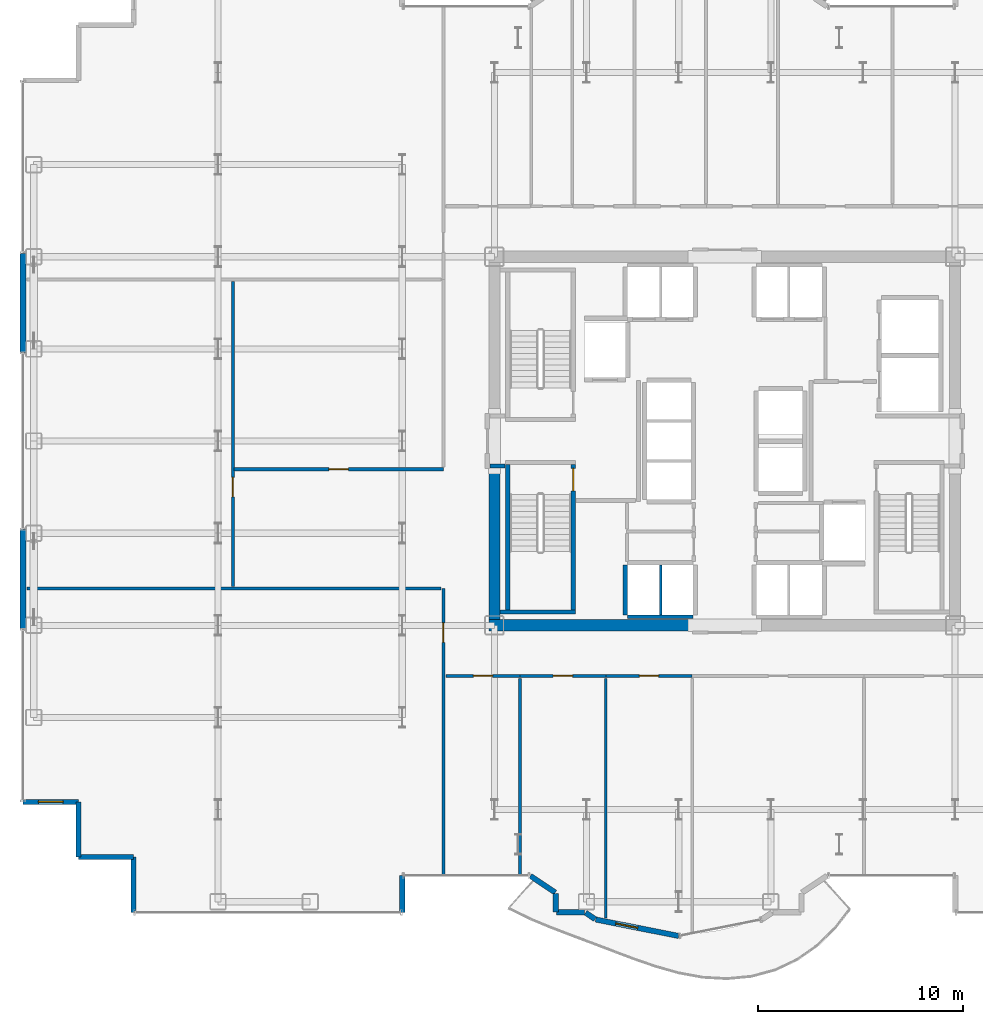
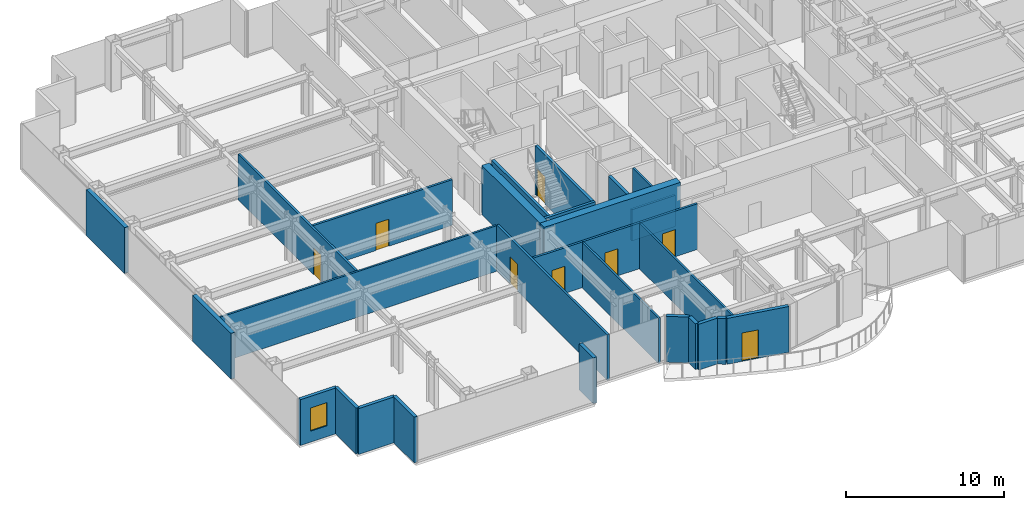
# One storey, part 22 of 29: 30 walls, 8 doors, 1 window, 9 openings.
"""IFC4 building model written with IfcOpenShell, lengths in metres."""

from ifc_helpers import new_model, si_unit, direction, frame, frame_2d, origin, place, context, subcontext, project, spatial, rectangle, extrude, source, transform, mapped, material, layer, layer_set, type_object, element, fill, save


model = new_model("IFC4")

# Units and contexts
model_context = context("Model", 3, precision=1e-05, world=origin(), true_north=direction((0.0, 1.0)))
body_context = subcontext(model_context, "Body", "Model", "MODEL_VIEW")
ifc_project = project(units=[si_unit("LENGTHUNIT", "METRE"), si_unit("AREAUNIT", "SQUARE_METRE"), si_unit("VOLUMEUNIT", "CUBIC_METRE"), si_unit("PLANEANGLEUNIT", "RADIAN"), si_unit("MASSUNIT", "GRAM", prefix="KILO")], contexts=[model_context])

# Site, building, storey
site_placement = place(None, origin())
site = spatial("IfcSite", under=ifc_project, at=site_placement, CompositionType="ELEMENT")
building_placement = place(site_placement, origin())
building = spatial("IfcBuilding", under=site, at=building_placement, Name="Nefas-Gora Pilgrimage Tower", CompositionType="ELEMENT")
storey_placement = place(building_placement, frame((0.0, 0.0, 136.39990234375)))
storey = spatial("IfcBuildingStorey", under=building, at=storey_placement, Name="L33", CompositionType="ELEMENT", Elevation=136.39990234375)

# Walls
ifc_material_1 = material(Name="Concrete C60/75", Category="concrete")
ifc_layer_1 = layer(ifc_material_1, 0.550048828125)
ifc_layer_set_1 = layer_set([ifc_layer_1], Name="Concrete C60/75")
wall_type_1 = type_object("IfcWallType", Name="SW-CORE-550", PredefinedType="SHEAR", material=ifc_layer_set_1)
shared_shape_1 = source(origin(), body_context, "Body", "SweptSolid", [
    extrude(rectangle(XDim=9.974853515625, YDim=0.550048828125, at=frame_2d((4.9873046875, 0.0))), origin(), (0.0, 0.0, 1.0), 3.800048828125),
])
wall_1_placement = place(storey_placement, frame((-11.52490234375, -9.0, 0.0), z_axis=(0.0, 0.0, 1.0), x_axis=(1.0, 0.0, 0.0)))
element("IfcWall", 1, at=wall_1_placement, inside=storey, type_object=wall_type_1, Name="L33 Core Shear Wall S-West", PredefinedType="SHEAR", context=body_context, shape_type="MappedRepresentation", body=[
    mapped(shared_shape_1, transform((0.0, 0.0, 0.0), x_axis=(1.0, 0.0, 0.0), y_axis=(0.0, 1.0, 0.0), z_axis=(0.0, 0.0, 1.0), scale=1.0)),
])
shared_shape_2 = source(origin(), body_context, "Body", "SweptSolid", [
    extrude(rectangle(XDim=7.375, YDim=0.550048828125, at=frame_2d((3.6875, 0.0))), origin(), (0.0, 0.0, 1.0), 3.800048828125),
])
wall_2_placement = place(storey_placement, frame((-11.25, -8.72509765625, 0.0), z_axis=(0.0, 0.0, 1.0), x_axis=(0.0, 1.0, 0.0)))
element("IfcWall", 2, at=wall_2_placement, inside=storey, type_object=wall_type_1, Name="L33 Core Shear Wall W-South", PredefinedType="SHEAR", context=body_context, shape_type="MappedRepresentation", body=[
    mapped(shared_shape_2, transform((0.0, 0.0, 0.0), x_axis=(1.0, 0.0, 0.0), y_axis=(0.0, 1.0, 0.0), z_axis=(0.0, 0.0, 1.0), scale=1.0)),
])
ifc_material_2 = material(Name="Precast concrete C45/55", Category="concrete")
ifc_layer_2 = layer(ifc_material_2, 0.239990234375)
ifc_layer_set_2 = layer_set([ifc_layer_2], Name="Precast concrete C45/55")
wall_type_2 = type_object("IfcWallType", Name="EW-SERR-240", PredefinedType="SHEAR", material=ifc_layer_set_2)
shared_shape_3 = source(origin(), body_context, "Body", "SweptSolid", [
    extrude(rectangle(XDim=4.8798828125, YDim=0.300048828125, at=frame_2d((2.43994140625, 0.0))), origin(), (0.0, 0.0, 1.0), 3.550048828125),
])
for number, where, z_axis, x_axis, name in (
    (3, (-34.27001953125, -9.18994140625, 0.0), (0.0, 0.0, 1.0), (0.0, 1.0, 0.0), "L33 Braced-Tube Precast Shear Cladding 1"),
    (4, (-34.27001953125, 4.31005859375, 0.0), (0.0, 0.0, 1.0), (0.0, 1.0, 0.0), "L33 Braced-Tube Precast Shear Cladding 2"),
):
    element("IfcWall", number, at=place(storey_placement, frame(where, z_axis=z_axis, x_axis=x_axis)), inside=storey, type_object=wall_type_2, Name=name, PredefinedType="SHEAR", context=body_context, shape_type="MappedRepresentation", body=[
        mapped(shared_shape_3, transform((0.0, 0.0, 0.0), x_axis=(1.0, 0.0, 0.0), y_axis=(0.0, 1.0, 0.0), z_axis=(0.0, 0.0, 1.0), scale=1.0)),
    ])
ifc_material_3 = material(Name="Precast concrete C40/50", Category="concrete")
ifc_layer_3 = layer(ifc_material_3, 0.260009765625)
ifc_layer_set_3 = layer_set([ifc_layer_3], Name="Precast concrete C40/50")
wall_type_3 = type_object("IfcWallType", Name="EW-PORTAL-260", PredefinedType="SOLIDWALL", material=ifc_layer_set_3)
shared_shape_4 = source(origin(), body_context, "Body", "SweptSolid", [
    extrude(rectangle(XDim=1.800048828125, YDim=0.260009765625, at=frame_2d((0.89990234375, 0.0))), origin(), (0.0, 0.0, 1.0), 3.550048828125),
])
wall_3_placement = place(storey_placement, frame((-15.75, -23.02001953125, 0.0), z_axis=(0.0, 0.0, 1.0), x_axis=(0.0, 1.0, 0.0)))
element("IfcWall", 5, at=wall_3_placement, inside=storey, type_object=wall_type_3, Name="L33 Lobe Shoulder Precast Spandrel Pier 33", PredefinedType="SOLIDWALL", context=body_context, shape_type="MappedRepresentation", body=[
    mapped(shared_shape_4, transform((0.0, 0.0, 0.0), x_axis=(1.0, 0.0, 0.0), y_axis=(0.0, 1.0, 0.0), z_axis=(0.0, 0.0, 1.0), scale=1.0)),
])

# Wall, opening, window
shared_shape_5 = source(origin(), body_context, "Body", "SweptSolid", [
    extrude(rectangle(XDim=2.699951171875, YDim=0.239990234375, at=frame_2d((1.35009765625, 0.0))), origin(), (0.0, 0.0, 1.0), 3.550048828125),
])
wall_4_placement = place(storey_placement, frame((-34.27001953125, -17.6201171875, 0.0), z_axis=(0.0, 0.0, 1.0), x_axis=(1.0, 0.0, 0.0)))
wall_4 = element("IfcWall", 6, at=wall_4_placement, inside=storey, type_object=wall_type_2, Name="L33 Serrated Corner Shear Pier Wall 29", PredefinedType="SHEAR", context=body_context, shape_type="MappedRepresentation", body=[
    mapped(shared_shape_5, transform((0.0, 0.0, 0.0), x_axis=(1.0, 0.0, 0.0), y_axis=(0.0, 1.0, 0.0), z_axis=(0.0, 0.0, 1.0), scale=1.0)),
])
opening_1_placement = place(wall_4_placement, frame((0.75, 0.0, 0.85009765625)))
opening_1 = element("IfcOpeningElement", 7, at=opening_1_placement, cuts=wall_4, Name="Opening W-V1", PredefinedType="OPENING", context=body_context, shape_type="SweptSolid", body=[
    extrude(rectangle(XDim=1.199951171875, YDim=1.800048828125, at=frame_2d((0.60009765625, 0.89990234375))), frame((0.0, 0.1298828125, 0.0), z_axis=(0.0, -1.0, 0.0), x_axis=(1.0, 0.0, 0.0)), (0.0, 0.0, 1.0), 0.260009765625),
])
ifc_material_4 = material(Name="Dark ceramic-fritted operable aluminium-glass window", Category="aluminium")
window_type = type_object("IfcWindowType", Name="WIN-VENT-1200x1800", PartitioningType="SINGLE_PANEL", PredefinedType="WINDOW", material=ifc_material_4)
shared_shape_6 = source(origin(), body_context, "Body", "SweptSolid", [
    extrude(rectangle(XDim=1.199951171875, YDim=1.800048828125, at=frame_2d((0.60009765625, 0.89990234375))), frame((0.0, 0.030029296875, 0.0), z_axis=(0.0, -1.0, 0.0), x_axis=(1.0, 0.0, 0.0)), (0.0, 0.0, 1.0), 0.06005859375),
])
window_placement = place(opening_1_placement, origin())
window = element("IfcWindow", 8, at=window_placement, inside=storey, type_object=window_type, Name="L33 Operable Parallel-Outswing Window 29", OverallHeight=1.800048828125, OverallWidth=1.199951171875, PartitioningType="SINGLE_PANEL", PredefinedType="WINDOW", context=body_context, shape_type="MappedRepresentation", body=[
    mapped(shared_shape_6, transform((0.0, 0.0, 0.0), x_axis=(1.0, 0.0, 0.0), y_axis=(0.0, 1.0, 0.0), z_axis=(0.0, 0.0, 1.0), scale=1.0)),
])
fill(opening_1, window)

# Walls
for number, where, z_axis, x_axis, name in (
    (9, (-31.570068359375, -17.6201171875, 0.0), (0.0, 0.0, 1.0), (0.0, -1.0, 0.0), "L33 Serrated Corner Shear Pier Wall 30"),
    (10, (-31.570068359375, -20.320068359375, 0.0), (0.0, 0.0, 1.0), (1.0, 0.0, 0.0), "L33 Serrated Corner Shear Pier Wall 31"),
    (11, (-28.8701171875, -20.320068359375, 0.0), (0.0, 0.0, 1.0), (0.0, -1.0, 0.0), "L33 Serrated Corner Shear Pier Wall 32"),
):
    element("IfcWall", number, at=place(storey_placement, frame(where, z_axis=z_axis, x_axis=x_axis)), inside=storey, type_object=wall_type_2, Name=name, PredefinedType="SHEAR", context=body_context, shape_type="MappedRepresentation", body=[
        mapped(shared_shape_5, transform((0.0, 0.0, 0.0), x_axis=(1.0, 0.0, 0.0), y_axis=(0.0, 1.0, 0.0), z_axis=(0.0, 0.0, 1.0), scale=1.0)),
    ])
shared_shape_7 = source(origin(), body_context, "Body", "SweptSolid", [
    extrude(rectangle(XDim=1.468994140625, YDim=0.260009765625, at=frame_2d((0.734375, 0.0))), origin(), (0.0, 0.0, 1.0), 3.550048828125),
])
wall_5_placement = place(storey_placement, frame((-9.49462890625, -21.235595703125, 0.0), z_axis=(0.0, 0.0, 1.0), x_axis=(0.831461760506, -0.555581983884, 0.0)))
element("IfcWall", 12, at=wall_5_placement, inside=storey, type_object=wall_type_3, Name="L33 Lobe Shoulder Precast Spandrel Pier 34", PredefinedType="SOLIDWALL", context=body_context, shape_type="MappedRepresentation", body=[
    mapped(shared_shape_7, transform((0.0, 0.0, 0.0), x_axis=(1.0, 0.0, 0.0), y_axis=(0.0, 1.0, 0.0), z_axis=(0.0, 0.0, 1.0), scale=1.0)),
])
shared_shape_8 = source(origin(), body_context, "Body", "SweptSolid", [
    extrude(rectangle(XDim=0.896728515625, YDim=0.260009765625, at=frame_2d((0.4482421875, 0.0))), origin(), (0.0, 0.0, 1.0), 3.550048828125),
])
wall_6_placement = place(storey_placement, frame((-8.25, -22.09521484375, 0.0), z_axis=(0.0, 0.0, 1.0), x_axis=(0.0, -1.0, 0.0)))
element("IfcWall", 13, at=wall_6_placement, inside=storey, type_object=wall_type_3, Name="L33 Lobe Shoulder Precast Spandrel Pier 35", PredefinedType="SOLIDWALL", context=body_context, shape_type="MappedRepresentation", body=[
    mapped(shared_shape_8, transform((0.0, 0.0, 0.0), x_axis=(1.0, 0.0, 0.0), y_axis=(0.0, 1.0, 0.0), z_axis=(0.0, 0.0, 1.0), scale=1.0)),
])
shared_shape_9 = source(origin(), body_context, "Body", "SweptSolid", [
    extrude(rectangle(XDim=1.369873046875, YDim=0.260009765625, at=frame_2d((0.68505859375, 0.0))), origin(), (0.0, 0.0, 1.0), 3.550048828125),
])
wall_7_placement = place(storey_placement, frame((-8.221923828125, -23.02001953125, 0.0), z_axis=(0.0, 0.0, 1.0), x_axis=(1.0, 0.0, 0.0)))
element("IfcWall", 14, at=wall_7_placement, inside=storey, type_object=wall_type_3, Name="L33 Lobe Shoulder Precast Spandrel Pier 36", PredefinedType="SOLIDWALL", context=body_context, shape_type="MappedRepresentation", body=[
    mapped(shared_shape_9, transform((0.0, 0.0, 0.0), x_axis=(1.0, 0.0, 0.0), y_axis=(0.0, 1.0, 0.0), z_axis=(0.0, 0.0, 1.0), scale=1.0)),
])
shared_shape_10 = source(origin(), body_context, "Body", "SweptSolid", [
    extrude(rectangle(XDim=0.5654296875, YDim=0.260009765625, at=frame_2d((0.28271484375, 0.0))), origin(), (0.0, 0.0, 1.0), 3.550048828125),
])
wall_8_placement = place(storey_placement, frame((-6.80078125, -23.03564453125, 0.0), z_axis=(0.0, 0.0, 1.0), x_axis=(0.831651492666, -0.555297933317, 0.0)))
element("IfcWall", 15, at=wall_8_placement, inside=storey, type_object=wall_type_3, Name="L33 Lobe Shoulder Precast Spandrel Pier 37", PredefinedType="SOLIDWALL", context=body_context, shape_type="MappedRepresentation", body=[
    mapped(shared_shape_10, transform((0.0, 0.0, 0.0), x_axis=(1.0, 0.0, 0.0), y_axis=(0.0, 1.0, 0.0), z_axis=(0.0, 0.0, 1.0), scale=1.0)),
])

# Wall, opening, door
shared_shape_11 = source(origin(), body_context, "Body", "SweptSolid", [
    extrude(rectangle(XDim=4.136962890625, YDim=0.260009765625, at=frame_2d((2.068359375, 0.0))), origin(), (0.0, 0.0, 1.0), 3.550048828125),
])
wall_9_placement = place(storey_placement, frame((-6.307373046875, -23.365234375, 0.0), z_axis=(0.0, 0.0, 1.0), x_axis=(0.980782170794, -0.195105954428, 0.0)))
wall_9 = element("IfcWall", 16, at=wall_9_placement, inside=storey, type_object=wall_type_3, Name="L33 Insulated Terrace Portal Wall 38", PredefinedType="SOLIDWALL", context=body_context, shape_type="MappedRepresentation", body=[
    mapped(shared_shape_11, transform((0.0, 0.0, 0.0), x_axis=(1.0, 0.0, 0.0), y_axis=(0.0, 1.0, 0.0), z_axis=(0.0, 0.0, 1.0), scale=1.0)),
])
opening_2_placement = place(wall_9_placement, frame((1.0029296875, 0.0, 0.0)))
opening_2 = element("IfcOpeningElement", 17, at=opening_2_placement, cuts=wall_9, Name="Opening ED-B1", PredefinedType="OPENING", context=body_context, shape_type="SweptSolid", body=[
    extrude(rectangle(XDim=1.10009765625, YDim=2.199951171875, at=frame_2d((0.550048828125, 1.10009765625))), frame((0.0, 0.139892578125, 0.0), z_axis=(0.0, -1.0, 0.0), x_axis=(1.0, 0.0, 0.0)), (0.0, 0.0, 1.0), 0.280029296875),
])
ifc_material_5 = material(Name="Thermally broken glazed aluminium balcony door", Category="aluminium")
door_type_1 = type_object("IfcDoorType", Name="DR-EXT-BAL-1100", OperationType="NOTDEFINED", PredefinedType="DOOR", material=ifc_material_5)
shared_shape_12 = source(origin(), body_context, "Body", "SweptSolid", [
    extrude(rectangle(XDim=1.10009765625, YDim=2.199951171875, at=frame_2d((0.550048828125, 1.10009765625))), frame((0.0, 0.02490234375, 0.0), z_axis=(0.0, -1.0, 0.0), x_axis=(1.0, 0.0, 0.0)), (0.0, 0.0, 1.0), 0.050048828125),
])
door_1_placement = place(opening_2_placement, origin())
door_1 = element("IfcDoor", 18, at=door_1_placement, inside=storey, type_object=door_type_1, Name="L33 Exterior Door (L33 S Lobe Wave Balcony)", OperationType="SINGLE_SWING_RIGHT", OverallHeight=2.199951171875, OverallWidth=1.10009765625, PredefinedType="DOOR", context=body_context, shape_type="MappedRepresentation", body=[
    mapped(shared_shape_12, transform((0.0, 0.0, 0.0), x_axis=(1.0, 0.0, 0.0), y_axis=(0.0, 1.0, 0.0), z_axis=(0.0, 0.0, 1.0), scale=1.0)),
])
fill(opening_2, door_1)

# Wall
ifc_material_6 = material(Name="Concrete C45/55", Category="concrete")
ifc_layer_4 = layer(ifc_material_6, 0.199951171875)
ifc_layer_set_4 = layer_set([ifc_layer_4], Name="Concrete C45/55")
wall_type_4 = type_object("IfcWallType", Name="IW-STAIR-200", PredefinedType="SOLIDWALL", material=ifc_layer_set_4)
shared_shape_13 = source(origin(), body_context, "Body", "SweptSolid", [
    extrude(rectangle(XDim=7.10009765625, YDim=0.199951171875, at=frame_2d((3.550048828125, 0.0))), origin(), (0.0, 0.0, 1.0), 3.800048828125),
])
wall_10_placement = place(storey_placement, frame((-10.60009765625, -1.14990234375, 0.0), z_axis=(0.0, 0.0, 1.0), x_axis=(0.0, -1.0, 0.0)))
element("IfcWall", 19, at=wall_10_placement, inside=storey, type_object=wall_type_4, Name="L33 Stairwell Shear Wall ST-03-left", PredefinedType="SOLIDWALL", context=body_context, shape_type="MappedRepresentation", body=[
    mapped(shared_shape_13, transform((0.0, 0.0, 0.0), x_axis=(1.0, 0.0, 0.0), y_axis=(0.0, 1.0, 0.0), z_axis=(0.0, 0.0, 1.0), scale=1.0)),
])

# Wall, opening, door
wall_11_placement = place(storey_placement, frame((-7.39990234375, -1.14990234375, 0.0), z_axis=(0.0, 0.0, 1.0), x_axis=(0.0, -1.0, 0.0)))
wall_11 = element("IfcWall", 20, at=wall_11_placement, inside=storey, type_object=wall_type_4, Name="L33 Stairwell Shear Wall ST-03-right", PredefinedType="SOLIDWALL", context=body_context, shape_type="MappedRepresentation", body=[
    mapped(shared_shape_13, transform((0.0, 0.0, 0.0), x_axis=(1.0, 0.0, 0.0), y_axis=(0.0, 1.0, 0.0), z_axis=(0.0, 0.0, 1.0), scale=1.0)),
])
opening_3_placement = place(wall_11_placement, frame((0.179931640625, 0.0, 0.0)))
opening_3 = element("IfcOpeningElement", 21, at=opening_3_placement, cuts=wall_11, Name="Opening ID-ST1", PredefinedType="OPENING", context=body_context, shape_type="SweptSolid", body=[
    extrude(rectangle(XDim=1.10009765625, YDim=2.14990234375, at=frame_2d((0.550048828125, 1.074951171875))), frame((0.0, 0.10986328125, 0.0), z_axis=(0.0, -1.0, 0.0), x_axis=(1.0, 0.0, 0.0)), (0.0, 0.0, 1.0), 0.219970703125),
])
ifc_material_7 = material(Name="Painted galvanised steel fire stair door", Category="steel")
door_type_2 = type_object("IfcDoorType", Name="DR-INT-STAIR-1100", OperationType="NOTDEFINED", PredefinedType="DOOR", material=ifc_material_7)
shared_shape_14 = source(origin(), body_context, "Body", "SweptSolid", [
    extrude(rectangle(XDim=1.10009765625, YDim=2.14990234375, at=frame_2d((0.550048828125, 1.074951171875))), frame((0.0, 0.02490234375, 0.0), z_axis=(0.0, -1.0, 0.0), x_axis=(1.0, 0.0, 0.0)), (0.0, 0.0, 1.0), 0.050048828125),
])
door_2_placement = place(opening_3_placement, origin())
door_2 = element("IfcDoor", 22, at=door_2_placement, inside=storey, type_object=door_type_2, Name="L33 Protected Exit Stair Door ST-03", OperationType="SINGLE_SWING_LEFT", OverallHeight=2.14990234375, OverallWidth=1.10009765625, PredefinedType="DOOR", context=body_context, shape_type="MappedRepresentation", body=[
    mapped(shared_shape_14, transform((0.0, 0.0, 0.0), x_axis=(1.0, 0.0, 0.0), y_axis=(0.0, 1.0, 0.0), z_axis=(0.0, 0.0, 1.0), scale=1.0)),
])
fill(opening_3, door_2)

# Walls
shared_shape_15 = source(origin(), body_context, "Body", "SweptSolid", [
    extrude(rectangle(XDim=3.679931640625, YDim=0.199951171875, at=frame_2d((1.83984375, 0.0))), origin(), (0.0, 0.0, 1.0), 3.800048828125),
])
wall_12_placement = place(storey_placement, frame((-10.97998046875, -8.35009765625, 0.0), z_axis=(0.0, 0.0, 1.0), x_axis=(1.0, 0.0, 0.0)))
element("IfcWall", 23, at=wall_12_placement, inside=storey, type_object=wall_type_4, Name="L33 Stairwell Shear Wall ST-03-far", PredefinedType="SOLIDWALL", context=body_context, shape_type="MappedRepresentation", body=[
    mapped(shared_shape_15, transform((0.0, 0.0, 0.0), x_axis=(1.0, 0.0, 0.0), y_axis=(0.0, 1.0, 0.0), z_axis=(0.0, 0.0, 1.0), scale=1.0)),
])
ifc_material_8 = material(Name="Gypsum acoustic stud partition")
ifc_layer_5 = layer(ifc_material_8, 0.159912109375)
ifc_layer_set_5 = layer_set([ifc_layer_5], Name="Gypsum acoustic stud partition")
wall_type_5 = type_object("IfcWallType", Name="IW-CORR-160", PredefinedType="PARTITIONING", material=ifc_layer_set_5)
shared_shape_16 = source(origin(), body_context, "Body", "SweptSolid", [
    extrude(rectangle(XDim=3.199951171875, YDim=0.159912109375, at=frame_2d((1.60009765625, 0.0))), origin(), (0.0, 0.0, 1.0), 2.425048828125),
])
wall_13_placement = place(storey_placement, frame((-4.75, -8.580078125, 0.0), z_axis=(0.0, 0.0, 1.0), x_axis=(1.0, 0.0, 0.0)))
element("IfcWall", 24, at=wall_13_placement, inside=storey, type_object=wall_type_5, Name="L33 Hoistway Wall PL2-W-S", PredefinedType="PARTITIONING", context=body_context, shape_type="MappedRepresentation", body=[
    mapped(shared_shape_16, transform((0.0, 0.0, 0.0), x_axis=(1.0, 0.0, 0.0), y_axis=(0.0, 1.0, 0.0), z_axis=(0.0, 0.0, 1.0), scale=1.0)),
])
ifc_material_9 = material(Name="Concrete C40/50", Category="concrete")
ifc_layer_6 = layer(ifc_material_9, 0.219970703125)
ifc_layer_set_6 = layer_set([ifc_layer_6], Name="Concrete C40/50")
wall_type_6 = type_object("IfcWallType", Name="IW-SHAFT-220", PredefinedType="SOLIDWALL", material=ifc_layer_set_6)
shared_shape_17 = source(origin(), body_context, "Body", "SweptSolid", [
    extrude(rectangle(XDim=2.429931640625, YDim=0.219970703125, at=frame_2d((1.21484375, 0.0))), origin(), (0.0, 0.0, 1.0), 3.53515625),
])
wall_14_placement = place(storey_placement, frame((-4.860107421875, -6.06005859375, 0.0), z_axis=(0.0, 0.0, 1.0), x_axis=(0.0, -1.0, 0.0)))
element("IfcWall", 25, at=wall_14_placement, inside=storey, type_object=wall_type_6, Name="L33 Hoistway Wall PL2-W-W", PredefinedType="SOLIDWALL", context=body_context, shape_type="MappedRepresentation", body=[
    mapped(shared_shape_17, transform((0.0, 0.0, 0.0), x_axis=(1.0, 0.0, 0.0), y_axis=(0.0, 1.0, 0.0), z_axis=(0.0, 0.0, 1.0), scale=1.0)),
])
ifc_material_10 = material(Name="Gypsum twin-stud partition")
ifc_layer_7 = layer(ifc_material_10, 0.139892578125)
ifc_layer_set_7 = layer_set([ifc_layer_7], Name="Gypsum twin-stud partition")
wall_type_7 = type_object("IfcWallType", Name="IW-UNIT-140", PredefinedType="PARTITIONING", material=ifc_layer_set_7)
shared_shape_18 = source(origin(), body_context, "Body", "SweptSolid", [
    extrude(rectangle(XDim=2.429931640625, YDim=0.139892578125, at=frame_2d((1.21484375, 0.0))), origin(), (0.0, 0.0, 1.0), 3.53515625),
])
wall_15_placement = place(storey_placement, frame((-3.125, -8.489990234375, 0.0), z_axis=(0.0, 0.0, 1.0), x_axis=(0.0, 1.0, 0.0)))
element("IfcWall", 26, at=wall_15_placement, inside=storey, type_object=wall_type_7, Name="L33 Hoistway Wall PL2-W-DIV", PredefinedType="PARTITIONING", context=body_context, shape_type="MappedRepresentation", body=[
    mapped(shared_shape_18, transform((0.0, 0.0, 0.0), x_axis=(1.0, 0.0, 0.0), y_axis=(0.0, 1.0, 0.0), z_axis=(0.0, 0.0, 1.0), scale=1.0)),
])
ifc_material_11 = material(Name="Gypsum fire-rated shaftwall")
ifc_layer_8 = layer(ifc_material_11, 0.199951171875)
ifc_layer_set_8 = layer_set([ifc_layer_8], Name="Gypsum fire-rated shaftwall")
wall_type_8 = type_object("IfcWallType", Name="IW-FFLOB-200", PredefinedType="PARTITIONING", material=ifc_layer_set_8)
shared_shape_19 = source(origin(), body_context, "Body", "SweptSolid", [
    extrude(rectangle(XDim=0.719970703125, YDim=0.199951171875, at=frame_2d((0.35986328125, 0.0))), origin(), (0.0, 0.0, 1.0), 3.53515625),
])
wall_16_placement = place(storey_placement, frame((-11.4599609375, -1.219970703125, 0.0), z_axis=(0.0, 0.0, 1.0), x_axis=(1.0, 0.0, 0.0)))
element("IfcWall", 27, at=wall_16_placement, inside=storey, type_object=wall_type_8, Name="L33 FF Lobby West Throat S Wall 7", PredefinedType="PARTITIONING", context=body_context, shape_type="MappedRepresentation", body=[
    mapped(shared_shape_19, transform((0.0, 0.0, 0.0), x_axis=(1.0, 0.0, 0.0), y_axis=(0.0, 1.0, 0.0), z_axis=(0.0, 0.0, 1.0), scale=1.0)),
])
shared_shape_20 = source(origin(), body_context, "Body", "SweptSolid", [
    extrude(rectangle(XDim=20.219970703125, YDim=0.139892578125, at=frame_2d((10.10986328125, 0.0))), origin(), (0.0, 0.0, 1.0), 3.53515625),
])
wall_17_placement = place(storey_placement, frame((-34.080078125, -7.205078125, 0.0), z_axis=(0.0, 0.0, 1.0), x_axis=(1.0, 0.0, 0.0)))
element("IfcWall", 28, at=wall_17_placement, inside=storey, type_object=wall_type_7, Name="L33 Pilgrim Devotional Prayer Gallery Partition Wall 29", PredefinedType="PARTITIONING", context=body_context, shape_type="MappedRepresentation", body=[
    mapped(shared_shape_20, transform((0.0, 0.0, 0.0), x_axis=(1.0, 0.0, 0.0), y_axis=(0.0, 1.0, 0.0), z_axis=(0.0, 0.0, 1.0), scale=1.0)),
])

# Wall, opening, door
shared_shape_21 = source(origin(), body_context, "Body", "SweptSolid", [
    extrude(rectangle(XDim=10.25, YDim=0.159912109375, at=frame_2d((5.125, 0.0))), origin(), (0.0, 0.0, 1.0), 3.53515625),
])
wall_18_placement = place(storey_placement, frame((-23.97998046875, -1.3798828125, 0.0), z_axis=(0.0, 0.0, 1.0), x_axis=(1.0, 0.0, 0.0)))
wall_18 = element("IfcWall", 29, at=wall_18_placement, inside=storey, type_object=wall_type_5, Name="L33 Pilgrim Devotional Prayer Gallery Partition Wall 32", PredefinedType="PARTITIONING", context=body_context, shape_type="MappedRepresentation", body=[
    mapped(shared_shape_21, transform((0.0, 0.0, 0.0), x_axis=(1.0, 0.0, 0.0), y_axis=(0.0, 1.0, 0.0), z_axis=(0.0, 0.0, 1.0), scale=1.0)),
])
opening_4_placement = place(wall_18_placement, frame((4.64990234375, 0.0, 0.0)))
opening_4 = element("IfcOpeningElement", 30, at=opening_4_placement, cuts=wall_18, Name="Opening ID-GR1", PredefinedType="OPENING", context=body_context, shape_type="SweptSolid", body=[
    extrude(rectangle(XDim=0.949951171875, YDim=2.10009765625, at=frame_2d((0.47509765625, 1.050048828125))), frame((0.0, 0.08984375, 0.0), z_axis=(0.0, -1.0, 0.0), x_axis=(1.0, 0.0, 0.0)), (0.0, 0.0, 1.0), 0.179931640625),
])
ifc_material_12 = material(Name="Solid core oak fire-rated guest entrance door")
door_type_3 = type_object("IfcDoorType", Name="DR-INT-GUEST-950", OperationType="NOTDEFINED", PredefinedType="DOOR", material=ifc_material_12)
shared_shape_22 = source(origin(), body_context, "Body", "SweptSolid", [
    extrude(rectangle(XDim=0.949951171875, YDim=2.10009765625, at=frame_2d((0.47509765625, 1.050048828125))), frame((0.0, 0.02490234375, 0.0), z_axis=(0.0, -1.0, 0.0), x_axis=(1.0, 0.0, 0.0)), (0.0, 0.0, 1.0), 0.050048828125),
])
door_3_placement = place(opening_4_placement, origin())
door_3 = element("IfcDoor", 31, at=door_3_placement, inside=storey, type_object=door_type_3, Name="L33 Pilgrim Devotional Prayer Gallery Door 13", OperationType="SINGLE_SWING_LEFT", OverallHeight=2.10009765625, OverallWidth=0.949951171875, PredefinedType="DOOR", context=body_context, shape_type="MappedRepresentation", body=[
    mapped(shared_shape_22, transform((0.0, 0.0, 0.0), x_axis=(1.0, 0.0, 0.0), y_axis=(0.0, 1.0, 0.0), z_axis=(0.0, 0.0, 1.0), scale=1.0)),
])
fill(opening_4, door_3)

# Wall
shared_shape_23 = source(origin(), body_context, "Body", "SweptSolid", [
    extrude(rectangle(XDim=9.64990234375, YDim=0.139892578125, at=frame_2d((4.824951171875, 0.0))), origin(), (0.0, 0.0, 1.0), 3.53515625),
])
wall_19_placement = place(storey_placement, frame((-10.0048828125, -21.239990234375, 0.0), z_axis=(0.0, 0.0, 1.0), x_axis=(0.0, 1.0, 0.0)))
element("IfcWall", 32, at=wall_19_placement, inside=storey, type_object=wall_type_7, Name="L33 Pilgrim Contemplative Lounge Partition Wall 60", PredefinedType="PARTITIONING", context=body_context, shape_type="MappedRepresentation", body=[
    mapped(shared_shape_23, transform((0.0, 0.0, 0.0), x_axis=(1.0, 0.0, 0.0), y_axis=(0.0, 1.0, 0.0), z_axis=(0.0, 0.0, 1.0), scale=1.0)),
])

# Wall, opening, door
shared_shape_24 = source(origin(), body_context, "Body", "SweptSolid", [
    extrude(rectangle(XDim=14.044921875, YDim=0.159912109375, at=frame_2d((7.0224609375, 0.0))), origin(), (0.0, 0.0, 1.0), 3.53515625),
])
wall_20_placement = place(storey_placement, frame((-13.739990234375, -21.239990234375, 0.0), z_axis=(0.0, 0.0, 1.0), x_axis=(0.0, 1.0, 0.0)))
wall_20 = element("IfcWall", 33, at=wall_20_placement, inside=storey, type_object=wall_type_5, Name="L33 Pilgrim Devotional Prayer Gallery Partition Wall 28", PredefinedType="PARTITIONING", context=body_context, shape_type="MappedRepresentation", body=[
    mapped(shared_shape_24, transform((0.0, 0.0, 0.0), x_axis=(1.0, 0.0, 0.0), y_axis=(0.0, 1.0, 0.0), z_axis=(0.0, 0.0, 1.0), scale=1.0)),
])
opening_5_placement = place(wall_20_placement, frame((11.41259765625, 0.0, 0.0)))
opening_5 = element("IfcOpeningElement", 34, at=opening_5_placement, cuts=wall_20, Name="Opening ID-GR1", PredefinedType="OPENING", context=body_context, shape_type="SweptSolid", body=[
    extrude(rectangle(XDim=0.949951171875, YDim=2.10009765625, at=frame_2d((0.47509765625, 1.050048828125))), frame((0.0, 0.08984375, 0.0), z_axis=(0.0, -1.0, 0.0), x_axis=(1.0, 0.0, 0.0)), (0.0, 0.0, 1.0), 0.179931640625),
])
door_4_placement = place(opening_5_placement, origin())
door_4 = element("IfcDoor", 35, at=door_4_placement, inside=storey, type_object=door_type_3, Name="L33 Pilgrim Devotional Prayer Gallery Door 11", OperationType="SINGLE_SWING_LEFT", OverallHeight=2.10009765625, OverallWidth=0.949951171875, PredefinedType="DOOR", context=body_context, shape_type="MappedRepresentation", body=[
    mapped(shared_shape_22, transform((0.0, 0.0, 0.0), x_axis=(1.0, 0.0, 0.0), y_axis=(0.0, 1.0, 0.0), z_axis=(0.0, 0.0, 1.0), scale=1.0)),
])
fill(opening_5, door_4)

shared_shape_25 = source(origin(), body_context, "Body", "SweptSolid", [
    extrude(rectangle(XDim=14.882568359375, YDim=0.159912109375, at=frame_2d((7.44140625, 0.0))), origin(), (0.0, 0.0, 1.0), 3.53515625),
])
wall_21_placement = place(storey_placement, frame((-24.02001953125, -7.094970703125, 0.0), z_axis=(0.0, 0.0, 1.0), x_axis=(0.0, 1.0, 0.0)))
wall_21 = element("IfcWall", 36, at=wall_21_placement, inside=storey, type_object=wall_type_5, Name="L33 Pilgrim Tea and Beverage Pantry Partition Wall 34", PredefinedType="PARTITIONING", context=body_context, shape_type="MappedRepresentation", body=[
    mapped(shared_shape_25, transform((0.0, 0.0, 0.0), x_axis=(1.0, 0.0, 0.0), y_axis=(0.0, 1.0, 0.0), z_axis=(0.0, 0.0, 1.0), scale=1.0)),
])
opening_6_placement = place(wall_21_placement, frame((4.3701171875, 0.0, 0.0)))
opening_6 = element("IfcOpeningElement", 37, at=opening_6_placement, cuts=wall_21, Name="Opening ID-GR1", PredefinedType="OPENING", context=body_context, shape_type="SweptSolid", body=[
    extrude(rectangle(XDim=0.949951171875, YDim=2.10009765625, at=frame_2d((0.47509765625, 1.050048828125))), frame((0.0, 0.08984375, 0.0), z_axis=(0.0, -1.0, 0.0), x_axis=(1.0, 0.0, 0.0)), (0.0, 0.0, 1.0), 0.179931640625),
])
door_5_placement = place(opening_6_placement, origin())
door_5 = element("IfcDoor", 38, at=door_5_placement, inside=storey, type_object=door_type_3, Name="L33 Pilgrim Tea and Beverage Pantry Door 14", OperationType="SINGLE_SWING_RIGHT", OverallHeight=2.10009765625, OverallWidth=0.949951171875, PredefinedType="DOOR", context=body_context, shape_type="MappedRepresentation", body=[
    mapped(shared_shape_22, transform((0.0, 0.0, 0.0), x_axis=(1.0, 0.0, 0.0), y_axis=(0.0, 1.0, 0.0), z_axis=(0.0, 0.0, 1.0), scale=1.0)),
])
fill(opening_6, door_5)

shared_shape_26 = source(origin(), body_context, "Body", "SweptSolid", [
    extrude(rectangle(XDim=3.625, YDim=0.159912109375, at=frame_2d((1.8125, 0.0))), origin(), (0.0, 0.0, 1.0), 3.53515625),
])
wall_22_placement = place(storey_placement, frame((-13.6201171875, -11.469970703125, 0.0), z_axis=(0.0, 0.0, 1.0), x_axis=(1.0, 0.0, 0.0)))
wall_22 = element("IfcWall", 39, at=wall_22_placement, inside=storey, type_object=wall_type_5, Name="L33 Pilgrim Contemplative Lounge Partition Wall 59", PredefinedType="PARTITIONING", context=body_context, shape_type="MappedRepresentation", body=[
    mapped(shared_shape_26, transform((0.0, 0.0, 0.0), x_axis=(1.0, 0.0, 0.0), y_axis=(0.0, 1.0, 0.0), z_axis=(0.0, 0.0, 1.0), scale=1.0)),
])
opening_7_placement = place(wall_22_placement, frame((1.33740234375, 0.0, 0.0)))
opening_7 = element("IfcOpeningElement", 40, at=opening_7_placement, cuts=wall_22, Name="Opening ID-GR1", PredefinedType="OPENING", context=body_context, shape_type="SweptSolid", body=[
    extrude(rectangle(XDim=0.949951171875, YDim=2.10009765625, at=frame_2d((0.47509765625, 1.050048828125))), frame((0.0, 0.08984375, 0.0), z_axis=(0.0, -1.0, 0.0), x_axis=(1.0, 0.0, 0.0)), (0.0, 0.0, 1.0), 0.179931640625),
])
door_6_placement = place(opening_7_placement, origin())
door_6 = element("IfcDoor", 41, at=door_6_placement, inside=storey, type_object=door_type_3, Name="L33 Pilgrim Contemplative Lounge Door 28", OperationType="SINGLE_SWING_RIGHT", OverallHeight=2.10009765625, OverallWidth=0.949951171875, PredefinedType="DOOR", context=body_context, shape_type="MappedRepresentation", body=[
    mapped(shared_shape_22, transform((0.0, 0.0, 0.0), x_axis=(1.0, 0.0, 0.0), y_axis=(0.0, 1.0, 0.0), z_axis=(0.0, 0.0, 1.0), scale=1.0)),
])
fill(opening_7, door_6)

shared_shape_27 = source(origin(), body_context, "Body", "SweptSolid", [
    extrude(rectangle(XDim=4.202392578125, YDim=0.159912109375, at=frame_2d((2.10107421875, 0.0))), origin(), (0.0, 0.0, 1.0), 3.53515625),
])
wall_23_placement = place(storey_placement, frame((-10.0048828125, -11.469970703125, 0.0), z_axis=(0.0, 0.0, 1.0), x_axis=(1.0, 0.0, 0.0)))
wall_23 = element("IfcWall", 42, at=wall_23_placement, inside=storey, type_object=wall_type_5, Name="L33 Pilgrim Contemplative Lounge Partition Wall 64", PredefinedType="PARTITIONING", context=body_context, shape_type="MappedRepresentation", body=[
    mapped(shared_shape_27, transform((0.0, 0.0, 0.0), x_axis=(1.0, 0.0, 0.0), y_axis=(0.0, 1.0, 0.0), z_axis=(0.0, 0.0, 1.0), scale=1.0)),
])
opening_8_placement = place(wall_23_placement, frame((1.626220703125, 0.0, 0.0)))
opening_8 = element("IfcOpeningElement", 43, at=opening_8_placement, cuts=wall_23, Name="Opening ID-GR1", PredefinedType="OPENING", context=body_context, shape_type="SweptSolid", body=[
    extrude(rectangle(XDim=0.949951171875, YDim=2.10009765625, at=frame_2d((0.47509765625, 1.050048828125))), frame((0.0, 0.08984375, 0.0), z_axis=(0.0, -1.0, 0.0), x_axis=(1.0, 0.0, 0.0)), (0.0, 0.0, 1.0), 0.179931640625),
])
door_7_placement = place(opening_8_placement, origin())
door_7 = element("IfcDoor", 44, at=door_7_placement, inside=storey, type_object=door_type_3, Name="L33 Pilgrim Contemplative Lounge Door 30", OperationType="SINGLE_SWING_RIGHT", OverallHeight=2.10009765625, OverallWidth=0.949951171875, PredefinedType="DOOR", context=body_context, shape_type="MappedRepresentation", body=[
    mapped(shared_shape_22, transform((0.0, 0.0, 0.0), x_axis=(1.0, 0.0, 0.0), y_axis=(0.0, 1.0, 0.0), z_axis=(0.0, 0.0, 1.0), scale=1.0)),
])
fill(opening_8, door_7)

wall_24_placement = place(storey_placement, frame((-5.802490234375, -11.469970703125, 0.0), z_axis=(0.0, 0.0, 1.0), x_axis=(1.0, 0.0, 0.0)))
wall_24 = element("IfcWall", 45, at=wall_24_placement, inside=storey, type_object=wall_type_5, Name="L33 Pilgrim Contemplative Lounge Partition Wall 66", PredefinedType="PARTITIONING", context=body_context, shape_type="MappedRepresentation", body=[
    mapped(shared_shape_27, transform((0.0, 0.0, 0.0), x_axis=(1.0, 0.0, 0.0), y_axis=(0.0, 1.0, 0.0), z_axis=(0.0, 0.0, 1.0), scale=1.0)),
])
opening_9_placement = place(wall_24_placement, frame((1.626220703125, 0.0, 0.0)))
opening_9 = element("IfcOpeningElement", 46, at=opening_9_placement, cuts=wall_24, Name="Opening ID-GR1", PredefinedType="OPENING", context=body_context, shape_type="SweptSolid", body=[
    extrude(rectangle(XDim=0.949951171875, YDim=2.10009765625, at=frame_2d((0.47509765625, 1.050048828125))), frame((0.0, 0.08984375, 0.0), z_axis=(0.0, -1.0, 0.0), x_axis=(1.0, 0.0, 0.0)), (0.0, 0.0, 1.0), 0.179931640625),
])
door_8_placement = place(opening_9_placement, origin())
door_8 = element("IfcDoor", 47, at=door_8_placement, inside=storey, type_object=door_type_3, Name="L33 Pilgrim Contemplative Lounge Door 31", OperationType="SINGLE_SWING_LEFT", OverallHeight=2.10009765625, OverallWidth=0.949951171875, PredefinedType="DOOR", context=body_context, shape_type="MappedRepresentation", body=[
    mapped(shared_shape_22, transform((0.0, 0.0, 0.0), x_axis=(1.0, 0.0, 0.0), y_axis=(0.0, 1.0, 0.0), z_axis=(0.0, 0.0, 1.0), scale=1.0)),
])
fill(opening_9, door_8)

# Wall
shared_shape_28 = source(origin(), body_context, "Body", "SweptSolid", [
    extrude(rectangle(XDim=11.700439453125, YDim=0.139892578125, at=frame_2d((5.85009765625, 0.0))), origin(), (0.0, 0.0, 1.0), 3.53515625),
])
wall_25_placement = place(storey_placement, frame((-5.8125, -23.29052734375, 0.0), z_axis=(0.0, 0.0, 1.0), x_axis=(0.0, 1.0, 0.0)))
element("IfcWall", 48, at=wall_25_placement, inside=storey, type_object=wall_type_7, Name="L33 Pilgrim Contemplative Lounge Partition Wall 65", PredefinedType="PARTITIONING", context=body_context, shape_type="MappedRepresentation", body=[
    mapped(shared_shape_28, transform((0.0, 0.0, 0.0), x_axis=(1.0, 0.0, 0.0), y_axis=(0.0, 1.0, 0.0), z_axis=(0.0, 0.0, 1.0), scale=1.0)),
])

save(model, "model.ifc")
